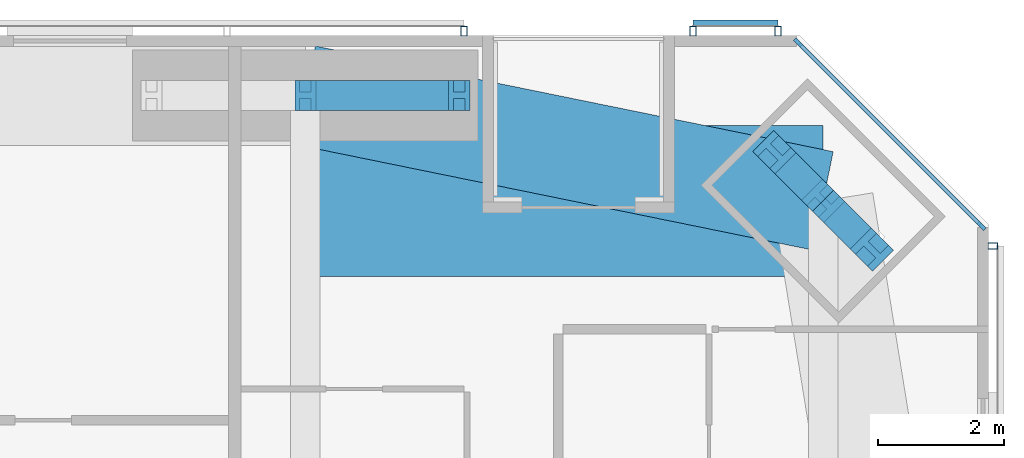
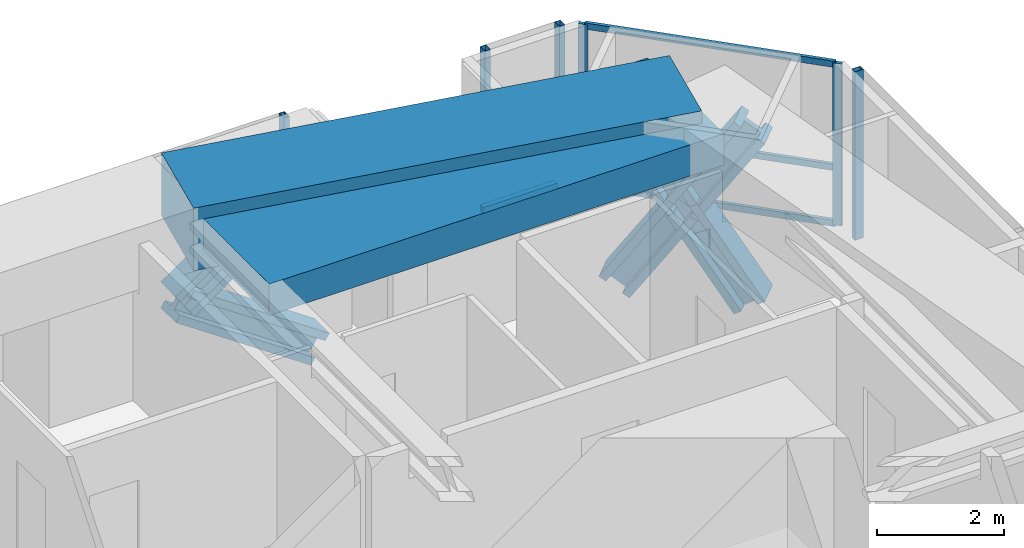
# One storey, part 14 of 23: 16 members, 2 beams, 4 elements without a shape of their own.
"""IFC4 building model written with IfcOpenShell, lengths in metres."""

from ifc_helpers import new_model, si_unit, direction, frame, origin, origin_2d, place, context, subcontext, project, spatial, rectangle, hollow_rectangle, i_section, extrude, material, material_profile, profile_set, type_object, element, aggregate, save


model = new_model("IFC4")

# Units and contexts
model_context = context("Model", 3, precision=1e-05, world=origin(), true_north=direction((0.0, 1.0)))
body_context = subcontext(model_context, "Body", "Model", "MODEL_VIEW")
ifc_project = project(units=[si_unit("LENGTHUNIT", "METRE"), si_unit("AREAUNIT", "SQUARE_METRE"), si_unit("VOLUMEUNIT", "CUBIC_METRE"), si_unit("PLANEANGLEUNIT", "RADIAN"), si_unit("MASSUNIT", "GRAM", prefix="KILO")], contexts=[model_context])

# Site, building, storey
site_placement = place(None, origin())
site = spatial("IfcSite", under=ifc_project, at=site_placement, CompositionType="ELEMENT")
building_placement = place(site_placement, origin())
building = spatial("IfcBuilding", under=site, at=building_placement, Name="Jalousie Tower", CompositionType="ELEMENT")
storey_placement = place(building_placement, frame((0.0, 0.0, 88.10009765625)))
storey = spatial("IfcBuildingStorey", under=building, at=storey_placement, Name="L23", CompositionType="ELEMENT", Elevation=88.10009765625)

# Curtain wall, members
ifc_material_1 = material(Name="Aluminium curtain wall", Category="aluminium")
curtain_wall_type_1 = type_object("IfcCurtainWallType", Name="CORNER WINDOW WALL", PredefinedType="USERDEFINED", material=ifc_material_1)
curtain_wall_1_placement = place(storey_placement, origin())
curtain_wall_1 = element("IfcCurtainWall", 1, at=curtain_wall_1_placement, inside=storey, type_object=curtain_wall_type_1, Name="Corner Window Wall L23 4", ObjectType="CORNER WINDOW WALL", PredefinedType="USERDEFINED")
ifc_material_2 = material(Name="Aluminium mullion", Category="aluminium")
ifc_material_profile_1 = material_profile(ifc_material_2, rectangle(XDim=0.06005859375, YDim=0.14990234375, at=origin_2d()), Name="MULLION 60x150")
ifc_profile_set_1 = profile_set([ifc_material_profile_1], Name="Aluminium mullion")
member_type_1 = type_object("IfcMemberType", Name="CORNER WINDOW WALL MULLION", PredefinedType="MULLION", material=ifc_profile_set_1)
member_1_placement = place(storey_placement, frame((49.391357421875, 34.969970703125, 0.0), z_axis=(0.0, 0.0, 1.0), x_axis=(-0.707106781187, -0.707106781187, 0.0)))
member_1 = element("IfcMember", 2, at=member_1_placement, type_object=member_type_1, Name="CW-C mullion 1", PredefinedType="MULLION", context=body_context, shape_type="SweptSolid", body=[
    extrude(rectangle(XDim=0.06005859375, YDim=0.14990234375, at=origin_2d()), origin(), (0.0, 0.0, 1.0), 3.10986328125),
])
member_2_placement = place(storey_placement, frame((46.469970703125, 37.891357421875, 0.0), z_axis=(0.0, 0.0, 1.0), x_axis=(-0.707106781187, -0.707106781187, 0.0)))
member_2 = element("IfcMember", 3, at=member_2_placement, type_object=member_type_1, Name="CW-C mullion 2", PredefinedType="MULLION", context=body_context, shape_type="SweptSolid", body=[
    extrude(rectangle(XDim=0.06005859375, YDim=0.14990234375, at=origin_2d()), origin(), (0.0, 0.0, 1.0), 3.10986328125),
])
ifc_material_3 = material(Name="Aluminium transom", Category="aluminium")
ifc_material_profile_2 = material_profile(ifc_material_3, rectangle(XDim=0.06005859375, YDim=0.1201171875, at=origin_2d()), Name="TRANSOM 60x120")
ifc_profile_set_2 = profile_set([ifc_material_profile_2], Name="Aluminium transom")
member_type_2 = type_object("IfcMemberType", Name="CORNER WINDOW WALL TRANSOM", PredefinedType="USERDEFINED", material=ifc_profile_set_2)
member_3_placement = place(storey_placement, frame((49.3701171875, 34.9912109375, 0.02978515625), z_axis=(-0.707106781187, 0.707106781187, 0.0), x_axis=(-0.707106781187, -0.707106781187, 0.0)))
member_3 = element("IfcMember", 4, at=member_3_placement, type_object=member_type_2, Name="CW-C transom 1.1", ObjectType="TRANSOM", PredefinedType="USERDEFINED", context=body_context, shape_type="SweptSolid", body=[
    extrude(rectangle(XDim=0.06005859375, YDim=0.1201171875, at=origin_2d()), origin(), (0.0, 0.0, 1.0), 4.0712890625),
])
member_4_placement = place(storey_placement, frame((49.3701171875, 34.9912109375, 1.099853515625), z_axis=(-0.707106781187, 0.707106781187, 0.0), x_axis=(-0.707106781187, -0.707106781187, 0.0)))
member_4 = element("IfcMember", 5, at=member_4_placement, type_object=member_type_2, Name="CW-C transom 1.2", ObjectType="TRANSOM", PredefinedType="USERDEFINED", context=body_context, shape_type="SweptSolid", body=[
    extrude(rectangle(XDim=0.06005859375, YDim=0.1201171875, at=origin_2d()), origin(), (0.0, 0.0, 1.0), 4.0712890625),
])
member_5_placement = place(storey_placement, frame((49.3701171875, 34.9912109375, 3.079833984375), z_axis=(-0.707106781187, 0.707106781187, 0.0), x_axis=(-0.707106781187, -0.707106781187, 0.0)))
member_5 = element("IfcMember", 6, at=member_5_placement, type_object=member_type_2, Name="CW-C transom 1.3", ObjectType="TRANSOM", PredefinedType="USERDEFINED", context=body_context, shape_type="SweptSolid", body=[
    extrude(rectangle(XDim=0.06005859375, YDim=0.1201171875, at=origin_2d()), origin(), (0.0, 0.0, 1.0), 4.0712890625),
])
aggregate(curtain_wall_1, [member_1, member_2, member_3, member_4, member_5])

# Members
ifc_material_4 = material(Name="Steel ASTM A992 Grade 50", Category="steel")
ifc_material_profile_3 = material_profile(ifc_material_4, i_section(OverallWidth=0.4775390625, OverallDepth=0.599365234375, WebThickness=0.10009765625, FlangeThickness=0.139892578125, at=origin_2d()), Name="W14X873")
ifc_profile_set_3 = profile_set([ifc_material_profile_3], Name="Steel ASTM A992 Grade 50")
member_type_3 = type_object("IfcMemberType", Name="PERIMETER BRACE W14X873", PredefinedType="BRACE", material=ifc_profile_set_3)
for number, where, z_axis, x_axis, name in (
    (7, (47.646484375, 34.5908203125, -0.60009765625), (-0.388148535558, 0.388148535558, 0.835871658024), (-0.707106781187, -0.707106781187, 0.0), "Perimeter brace 08 L23 part 1"),
    (8, (46.86865234375, 35.36865234375, 1.074951171875), (-0.388148535558, 0.388148535558, 0.835871658024), (-0.707106781187, -0.707106781187, 0.0), "Perimeter brace 08 L23 part 2"),
    (9, (46.0908203125, 36.146484375, -0.60009765625), (0.388148535558, -0.388148535558, 0.835871658024), (0.707106781187, 0.707106781187, 0.0), "Perimeter brace 08 L23 part 3"),
    (10, (46.86865234375, 35.36865234375, 1.074951171875), (0.388148535558, -0.388148535558, 0.835871658024), (0.707106781187, 0.707106781187, 0.0), "Perimeter brace 08 L23 part 4"),
):
    element("IfcMember", number, at=place(storey_placement, frame(where, z_axis=z_axis, x_axis=x_axis)), inside=storey, type_object=member_type_3, Name=name, PredefinedType="BRACE", context=body_context, shape_type="SweptSolid", body=[
        extrude(i_section(OverallWidth=0.4775390625, OverallDepth=0.599365234375, WebThickness=0.10009765625, FlangeThickness=0.139892578125, at=origin_2d()), origin(), (0.0, 0.0, 1.0), 2.00390625),
    ])
for number, where, z_axis, x_axis, name in (
    (11, (38.625, 37.050048828125, 1.074951171875), (0.825500916831, 0.0, 0.564400776321), (0.0, 1.0, 0.0), "Perimeter brace 09 L23 part 2"),
    (12, (41.074951171875, 37.050048828125, -0.60009765625), (-0.825500916831, 0.0, 0.564400776321), (0.0, -1.0, 0.0), "Perimeter brace 09 L23 part 3"),
):
    element("IfcMember", number, at=place(storey_placement, frame(where, z_axis=z_axis, x_axis=x_axis)), inside=storey, type_object=member_type_3, Name=name, PredefinedType="BRACE", context=body_context, shape_type="SweptSolid", body=[
        extrude(i_section(OverallWidth=0.4775390625, OverallDepth=0.599365234375, WebThickness=0.10009765625, FlangeThickness=0.139892578125, at=origin_2d()), origin(), (0.0, 0.0, 1.0), 2.9677734375),
    ])

# Beams
ifc_material_5 = material(Name="Concrete f'c 40 MPa", Category="concrete")
ifc_material_profile_4 = material_profile(ifc_material_5, rectangle(XDim=1.60009765625, YDim=1.199951171875, at=origin_2d()), Name="RC 1600x1200")
ifc_profile_set_4 = profile_set([ifc_material_profile_4], Name="Concrete f'c 40 MPa")
beam_type_1 = type_object("IfcBeamType", Name="RC BEAM 1600x1200", PredefinedType="BEAM", material=ifc_profile_set_4)
beam_1_placement = place(storey_placement, frame((46.86865234375, 35.36865234375, 2.75), z_axis=(-0.97982690954, 0.199848010602, 0.0), x_axis=(-0.199848010602, -0.97982690954, 0.0)))
element("IfcBeam", 13, at=beam_1_placement, inside=storey, type_object=beam_type_1, Name="Edge band beam 08-09 under L24", PredefinedType="BEAM", context=body_context, shape_type="SweptSolid", body=[
    extrude(rectangle(XDim=1.60009765625, YDim=1.199951171875, at=origin_2d()), origin(), (0.0, 0.0, 1.0), 8.413330078125),
])
ifc_material_6 = material(Name="Concrete f'c 40 MPa", Category="concrete")
ifc_material_profile_5 = material_profile(ifc_material_6, rectangle(XDim=2.39990234375, YDim=0.60009765625, at=origin_2d()), Name="RC 2400x600")
ifc_profile_set_5 = profile_set([ifc_material_profile_5], Name="Concrete f'c 40 MPa")
beam_type_2 = type_object("IfcBeamType", Name="RC BEAM 2400x600", PredefinedType="BEAM", material=ifc_profile_set_5)
beam_2_placement = place(storey_placement, frame((46.86865234375, 35.36865234375, 2.809814453125), z_axis=(-1.0, 0.0, 0.0), x_axis=(0.0, -1.0, 0.0)))
element("IfcBeam", 14, at=beam_2_placement, inside=storey, type_object=beam_type_2, Name="Floor band beam under L24", PredefinedType="BEAM", context=body_context, shape_type="SweptSolid", body=[
    extrude(rectangle(XDim=2.39990234375, YDim=0.60009765625, at=origin_2d()), origin(), (0.0, 0.0, 1.0), 8.24365234375),
])

# Curtain wall, member
ifc_material_7 = material(Name="Perforated aluminium sheet", Category="aluminium")
curtain_wall_type_2 = type_object("IfcCurtainWallType", Name="SOLAR SCREEN SS-1", PredefinedType="USERDEFINED", material=ifc_material_7)
curtain_wall_2_placement = place(storey_placement, origin())
curtain_wall_2 = element("IfcCurtainWall", 15, at=curtain_wall_2_placement, inside=storey, type_object=curtain_wall_type_2, Name="Solar screen L23", ObjectType="SOLAR SCREEN SS-1", PredefinedType="USERDEFINED")
ifc_material_8 = material(Name="Steel ASTM A500 Grade C", Category="steel")
ifc_material_profile_6 = material_profile(ifc_material_8, hollow_rectangle(XDim=0.1015625, YDim=0.15234375, WallThickness=0.00634765625, at=origin_2d()), Name="HSS6X4X1/4")
ifc_profile_set_6 = profile_set([ifc_material_profile_6], Name="Steel ASTM A500 Grade C")
member_type_4 = type_object("IfcMemberType", Name="SOLAR SCREEN SS-1 MULLION", PredefinedType="MULLION", material=ifc_profile_set_6)
member_6_placement = place(storey_placement, frame((49.5712890625, 34.648681640625, -0.1201171875), z_axis=(0.0, 0.0, 1.0), x_axis=(0.0, 1.0, 0.0)))
member_6 = element("IfcMember", 16, at=member_6_placement, type_object=member_type_4, Name="SS1 post 4", PredefinedType="MULLION", context=body_context, shape_type="SweptSolid", body=[
    extrude(hollow_rectangle(XDim=0.1015625, YDim=0.15234375, WallThickness=0.00634765625, at=origin_2d()), origin(), (0.0, 0.0, 1.0), 3.22998046875),
])
aggregate(curtain_wall_2, [member_6])

# Curtain wall, members
curtain_wall_3_placement = place(storey_placement, origin())
curtain_wall_3 = element("IfcCurtainWall", 17, at=curtain_wall_3_placement, inside=storey, type_object=curtain_wall_type_2, Name="Solar screen L23", ObjectType="SOLAR SCREEN SS-1", PredefinedType="USERDEFINED")
member_7_placement = place(storey_placement, frame((46.148681640625, 38.0712890625, -0.1201171875), z_axis=(0.0, 0.0, 1.0), x_axis=(-1.0, 0.0, 0.0)))
member_7 = element("IfcMember", 18, at=member_7_placement, type_object=member_type_4, Name="SS1 post 1", PredefinedType="MULLION", context=body_context, shape_type="SweptSolid", body=[
    extrude(hollow_rectangle(XDim=0.1015625, YDim=0.15234375, WallThickness=0.00634765625, at=origin_2d()), origin(), (0.0, 0.0, 1.0), 3.22998046875),
])
member_8_placement = place(storey_placement, frame((44.798583984375, 38.0712890625, -0.1201171875), z_axis=(0.0, 0.0, 1.0), x_axis=(-1.0, 0.0, 0.0)))
member_8 = element("IfcMember", 19, at=member_8_placement, type_object=member_type_4, Name="SS1 post 2", PredefinedType="MULLION", context=body_context, shape_type="SweptSolid", body=[
    extrude(hollow_rectangle(XDim=0.1015625, YDim=0.15234375, WallThickness=0.00634765625, at=origin_2d()), origin(), (0.0, 0.0, 1.0), 3.22998046875),
])

# Curtain wall, member
curtain_wall_4_placement = place(storey_placement, origin())
curtain_wall_4 = element("IfcCurtainWall", 20, at=curtain_wall_4_placement, inside=storey, type_object=curtain_wall_type_2, Name="Solar screen L23", ObjectType="SOLAR SCREEN SS-1", PredefinedType="USERDEFINED")
member_9_placement = place(storey_placement, frame((41.148681640625, 38.0712890625, -0.1201171875), z_axis=(0.0, 0.0, 1.0), x_axis=(-1.0, 0.0, 0.0)))
member_9 = element("IfcMember", 21, at=member_9_placement, type_object=member_type_4, Name="SS1 post 1", PredefinedType="MULLION", context=body_context, shape_type="SweptSolid", body=[
    extrude(hollow_rectangle(XDim=0.1015625, YDim=0.15234375, WallThickness=0.00634765625, at=origin_2d()), origin(), (0.0, 0.0, 1.0), 3.22998046875),
])
aggregate(curtain_wall_4, [member_9])

# Member
ifc_material_9 = material(Name="Extruded aluminium screen rail", Category="aluminium")
ifc_material_profile_7 = material_profile(ifc_material_9, rectangle(XDim=0.1015625, YDim=0.1201171875, at=origin_2d()), Name="RAIL 102x120")
ifc_profile_set_7 = profile_set([ifc_material_profile_7], Name="Extruded aluminium screen rail")
member_type_5 = type_object("IfcMemberType", Name="SOLAR SCREEN SS-1 TRANSOM", PredefinedType="USERDEFINED", material=ifc_profile_set_7)
member_10_placement = place(storey_placement, frame((46.148681640625, 38.1982421875, -0.06005859375), z_axis=(-1.0, 0.0, 0.0), x_axis=(0.0, -1.0, 0.0)))
member_10 = element("IfcMember", 22, at=member_10_placement, type_object=member_type_5, Name="SS1 rail", ObjectType="TRANSOM", PredefinedType="USERDEFINED", context=body_context, shape_type="SweptSolid", body=[
    extrude(rectangle(XDim=0.1015625, YDim=0.1201171875, at=origin_2d()), origin(), (0.0, 0.0, 1.0), 1.35009765625),
])

aggregate(curtain_wall_3, [member_7, member_8, member_10])

save(model, "model.ifc")
